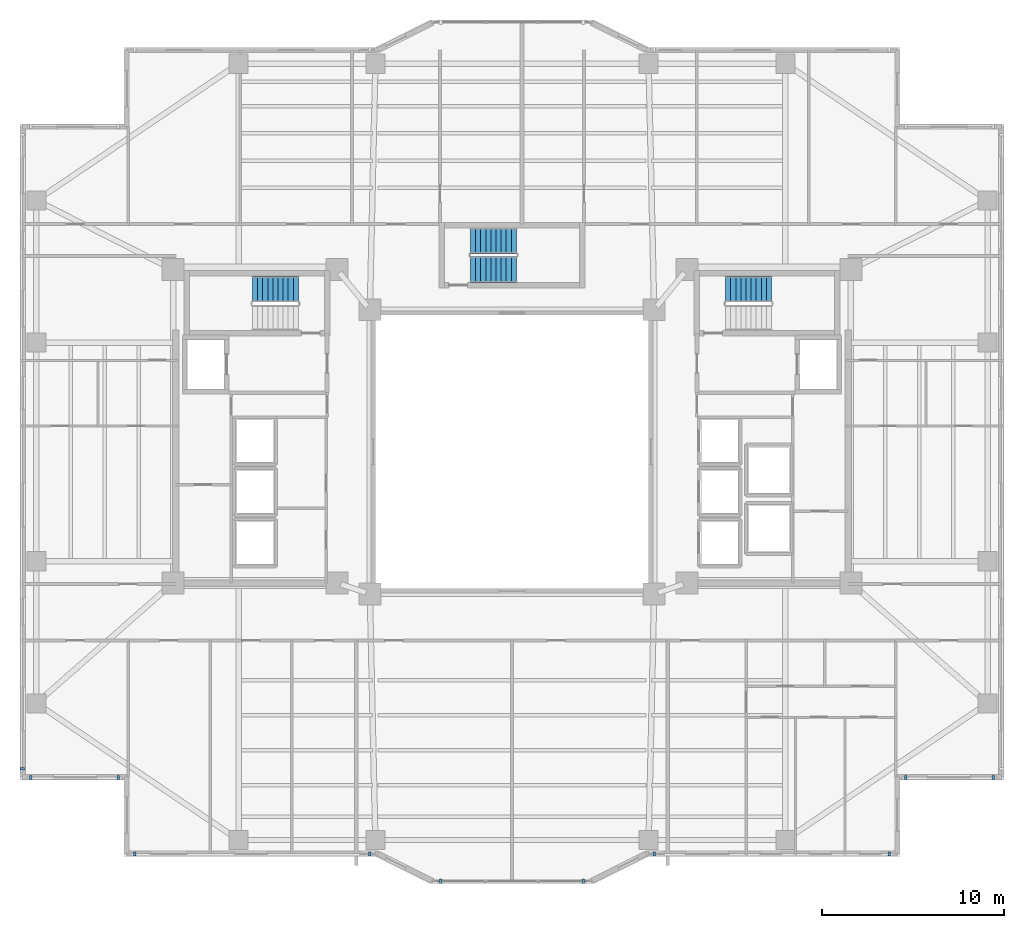
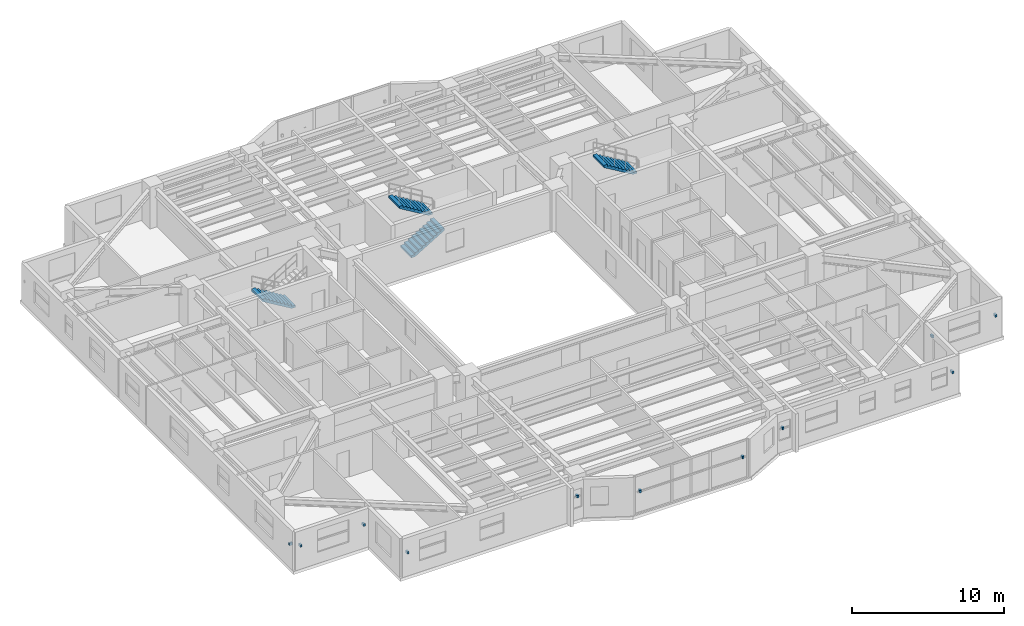
# One storey, part 11 of 18: 11 discrete accessories, 4 stair flights, 3 elements without a shape of their own.
"""IFC4 building model written with IfcOpenShell, lengths in metres."""

from ifc_helpers import new_model, si_unit, direction, frame, origin, origin_2d, place, context, subcontext, project, spatial, polyline, rectangle, outline, extrude, material, type_object, element, aggregate, save


model = new_model("IFC4")

# Units and contexts
model_context = context("Model", 3, precision=1e-05, world=origin(), true_north=direction((0.0, 1.0)))
body_context = subcontext(model_context, "Body", "Model", "MODEL_VIEW")
ifc_project = project(units=[si_unit("LENGTHUNIT", "METRE"), si_unit("AREAUNIT", "SQUARE_METRE"), si_unit("VOLUMEUNIT", "CUBIC_METRE"), si_unit("PLANEANGLEUNIT", "RADIAN"), si_unit("MASSUNIT", "GRAM", prefix="KILO")], contexts=[model_context])

# Site, building, storey
site_placement = place(None, origin())
site = spatial("IfcSite", under=ifc_project, at=site_placement, CompositionType="ELEMENT")
building_placement = place(site_placement, origin())
building = spatial("IfcBuilding", under=site, at=building_placement, Name="Tarnavaz Court Tower", CompositionType="ELEMENT")
storey_placement = place(building_placement, frame((0.0, 0.0, 108.449951171875)))
storey = spatial("IfcBuildingStorey", under=building, at=storey_placement, Name="L29", CompositionType="ELEMENT", Elevation=108.449951171875)

# Stair, stair flight
ifc_material_1 = material(Name="Concrete C40/50", Category="concrete")
stair_type = type_object("IfcStairType", Name="ST-TWR-20R", PredefinedType="HALF_TURN_STAIR", material=ifc_material_1)
stair_1_placement = place(storey_placement, origin())
stair_1 = element("IfcStair", 1, at=stair_1_placement, inside=storey, type_object=stair_type, Name="L29 West Core Pressurized Exit Stair ST-W1", PredefinedType="HALF_TURN_STAIR")
stair_flight_type = type_object("IfcStairFlightType", Name="SFL-RC-20R", PredefinedType="STRAIGHT", material=ifc_material_1)
stair_flight_1_placement = place(storey_placement, frame((-11.719970703125, 8.929931640625, 0.0), z_axis=(0.0, 0.0, 1.0), x_axis=(-1.0, 0.0, 0.0)))
stair_flight_1 = element("IfcStairFlight", 2, at=stair_flight_1_placement, type_object=stair_flight_type, Name="ST-W1 flight 1", NumberOfRisers=10, NumberOfTreads=9, PredefinedType="STRAIGHT", RiserHeight=0.1675, TreadLength=0.28, context=body_context, shape_type="SweptSolid", body=[
    extrude(outline(polyline([(0.0, 0.0), (0.0, 0.16748046875), (0.280029296875, 0.16748046875), (0.280029296875, 0.3349609375), (0.56005859375, 0.3349609375), (0.56005859375, 0.50244140625), (0.840087890625, 0.50244140625), (0.840087890625, 0.669921875), (1.1201171875, 0.669921875), (1.1201171875, 0.83740234375), (1.39990234375, 0.83740234375), (1.39990234375, 1.0048828125), (1.679931640625, 1.0048828125), (1.679931640625, 1.172607421875), (1.9599609375, 1.172607421875), (1.9599609375, 1.340087890625), (2.239990234375, 1.340087890625), (2.239990234375, 1.507568359375), (2.52001953125, 1.507568359375), (2.52001953125, 1.675048828125), (2.52001953125, 1.332763671875), (0.2919921875, 0.0), (0.0, 0.0)])), frame((0.0, 0.7099609375, 0.0), z_axis=(0.0, -1.0, 0.0), x_axis=(1.0, 0.0, 0.0)), (0.0, 0.0, 1.0), 1.419921875),
])
aggregate(stair_1, [stair_flight_1])

stair_2_placement = place(storey_placement, origin())
stair_2 = element("IfcStair", 3, at=stair_2_placement, inside=storey, type_object=stair_type, Name="L29 East Core Pressurized Exit Stair ST-E1", PredefinedType="HALF_TURN_STAIR")
stair_flight_2_placement = place(storey_placement, frame((14.239990234375, 8.929931640625, 1.675048828125), z_axis=(0.0, 0.0, 1.0), x_axis=(-1.0, 0.0, 0.0)))
stair_flight_2 = element("IfcStairFlight", 4, at=stair_flight_2_placement, type_object=stair_flight_type, Name="ST-E1 flight 2", NumberOfRisers=10, NumberOfTreads=9, PredefinedType="STRAIGHT", RiserHeight=0.1675, TreadLength=0.28, context=body_context, shape_type="SweptSolid", body=[
    extrude(outline(polyline([(0.0, 0.0), (0.0, 0.16748046875), (0.280029296875, 0.16748046875), (0.280029296875, 0.3349609375), (0.56005859375, 0.3349609375), (0.56005859375, 0.50244140625), (0.840087890625, 0.50244140625), (0.840087890625, 0.669921875), (1.1201171875, 0.669921875), (1.1201171875, 0.83740234375), (1.39990234375, 0.83740234375), (1.39990234375, 1.0048828125), (1.679931640625, 1.0048828125), (1.679931640625, 1.172607421875), (1.9599609375, 1.172607421875), (1.9599609375, 1.340087890625), (2.239990234375, 1.340087890625), (2.239990234375, 1.507568359375), (2.52001953125, 1.507568359375), (2.52001953125, 1.675048828125), (2.52001953125, 1.332763671875), (0.2919921875, 0.0), (0.0, 0.0)])), frame((0.0, 0.7099609375, 0.0), z_axis=(0.0, -1.0, 0.0), x_axis=(1.0, 0.0, 0.0)), (0.0, 0.0, 1.0), 1.419921875),
])
aggregate(stair_2, [stair_flight_2])

# Stair, stair flights
stair_3_placement = place(storey_placement, origin())
stair_3 = element("IfcStair", 5, at=stair_3_placement, inside=storey, type_object=stair_type, Name="L29 North Ring Pressurized Exit Stair ST-N1", PredefinedType="HALF_TURN_STAIR")
stair_flight_3_placement = place(storey_placement, frame((-2.280029296875, 10.010009765625, 0.0), z_axis=(0.0, 0.0, 1.0), x_axis=(1.0, 0.0, 0.0)))
stair_flight_3 = element("IfcStairFlight", 6, at=stair_flight_3_placement, type_object=stair_flight_type, Name="ST-N1 flight 1", NumberOfRisers=10, NumberOfTreads=9, PredefinedType="STRAIGHT", RiserHeight=0.1675, TreadLength=0.28, context=body_context, shape_type="SweptSolid", body=[
    extrude(outline(polyline([(0.0, 0.0), (0.0, 0.16748046875), (0.280029296875, 0.16748046875), (0.280029296875, 0.3349609375), (0.56005859375, 0.3349609375), (0.56005859375, 0.50244140625), (0.840087890625, 0.50244140625), (0.840087890625, 0.669921875), (1.1201171875, 0.669921875), (1.1201171875, 0.83740234375), (1.39990234375, 0.83740234375), (1.39990234375, 1.0048828125), (1.679931640625, 1.0048828125), (1.679931640625, 1.172607421875), (1.9599609375, 1.172607421875), (1.9599609375, 1.340087890625), (2.239990234375, 1.340087890625), (2.239990234375, 1.507568359375), (2.52001953125, 1.507568359375), (2.52001953125, 1.675048828125), (2.52001953125, 1.332763671875), (0.2919921875, 0.0), (0.0, 0.0)])), frame((0.0, 0.7099609375, 0.0), z_axis=(0.0, -1.0, 0.0), x_axis=(1.0, 0.0, 0.0)), (0.0, 0.0, 1.0), 1.419921875),
])
stair_flight_4_placement = place(storey_placement, frame((0.239990234375, 11.580078125, 1.675048828125), z_axis=(0.0, 0.0, 1.0), x_axis=(-1.0, 0.0, 0.0)))
stair_flight_4 = element("IfcStairFlight", 7, at=stair_flight_4_placement, type_object=stair_flight_type, Name="ST-N1 flight 2", NumberOfRisers=10, NumberOfTreads=9, PredefinedType="STRAIGHT", RiserHeight=0.1675, TreadLength=0.28, context=body_context, shape_type="SweptSolid", body=[
    extrude(outline(polyline([(0.0, 0.0), (0.0, 0.16748046875), (0.280029296875, 0.16748046875), (0.280029296875, 0.3349609375), (0.56005859375, 0.3349609375), (0.56005859375, 0.50244140625), (0.840087890625, 0.50244140625), (0.840087890625, 0.669921875), (1.1201171875, 0.669921875), (1.1201171875, 0.83740234375), (1.39990234375, 0.83740234375), (1.39990234375, 1.0048828125), (1.679931640625, 1.0048828125), (1.679931640625, 1.172607421875), (1.9599609375, 1.172607421875), (1.9599609375, 1.340087890625), (2.239990234375, 1.340087890625), (2.239990234375, 1.507568359375), (2.52001953125, 1.507568359375), (2.52001953125, 1.675048828125), (2.52001953125, 1.332763671875), (0.2919921875, 0.0), (0.0, 0.0)])), frame((0.0, 0.7099609375, 0.0), z_axis=(0.0, -1.0, 0.0), x_axis=(1.0, 0.0, 0.0)), (0.0, 0.0, 1.0), 1.419921875),
])
aggregate(stair_3, [stair_flight_3, stair_flight_4])

# Discrete accessories
ifc_material_2 = material(Name="Anodised Aluminium 6063-T6", Category="aluminium")
discrete_accessory_type = type_object("IfcDiscreteAccessoryType", Name="DA-BRKT-ALU", PredefinedType="BRACKET", material=ifc_material_2)
for number, where, z_axis, x_axis, name in (
    (8, (-21.60009765625, -17.8701171875, 1.75), (0.0, 0.0, 1.0), (-1.0, 0.0, 0.0), "L29 Baguette Outrigger Bracket FBG01-1"),
    (9, (-26.39990234375, -17.8701171875, 1.75), (0.0, 0.0, 1.0), (-1.0, 0.0, 0.0), "L29 Baguette Outrigger Bracket FBG01-2"),
    (10, (-26.8701171875, -17.39990234375, 1.75), (0.0, 0.0, 1.0), (0.0, 1.0, 0.0), "L29 Baguette Outrigger Bracket FBG02-1"),
    (11, (26.39990234375, -17.8701171875, 1.75), (0.0, 0.0, 1.0), (-1.0, 0.0, 0.0), "L29 Baguette Outrigger Bracket FBG13-1"),
    (12, (21.60009765625, -17.8701171875, 1.75), (0.0, 0.0, 1.0), (-1.0, 0.0, 0.0), "L29 Baguette Outrigger Bracket FBG13-2"),
    (13, (20.699951171875, -22.070068359375, 1.75), (0.0, 0.0, 1.0), (-1.0, 0.0, 0.0), "L29 Baguette Outrigger Bracket FBG15-1"),
    (14, (7.800048828125, -22.070068359375, 1.75), (0.0, 0.0, 1.0), (-1.0, 0.0, 0.0), "L29 Baguette Outrigger Bracket FBG15-2"),
    (15, (3.89990234375, -23.570068359375, 1.7001953125), (0.0, 0.0, 1.0), (-1.0, 0.0, 0.0), "L29 Baguette Outrigger Bracket PBG17-1"),
    (16, (-3.89990234375, -23.570068359375, 1.7001953125), (0.0, 0.0, 1.0), (-1.0, 0.0, 0.0), "L29 Baguette Outrigger Bracket PBG17-2"),
    (17, (-7.800048828125, -22.070068359375, 1.75), (0.0, 0.0, 1.0), (-1.0, 0.0, 0.0), "L29 Baguette Outrigger Bracket FBG19-1"),
    (18, (-20.699951171875, -22.070068359375, 1.75), (0.0, 0.0, 1.0), (-1.0, 0.0, 0.0), "L29 Baguette Outrigger Bracket FBG19-2"),
):
    element("IfcDiscreteAccessory", number, at=place(storey_placement, frame(where, z_axis=z_axis, x_axis=x_axis)), inside=storey, type_object=discrete_accessory_type, Name=name, PredefinedType="BRACKET", context=body_context, shape_type="SweptSolid", body=[
        extrude(rectangle(XDim=0.139892578125, YDim=0.239990234375, at=origin_2d()), origin(), (0.0, 0.0, 1.0), 0.199951171875),
    ])

save(model, "model.ifc")
